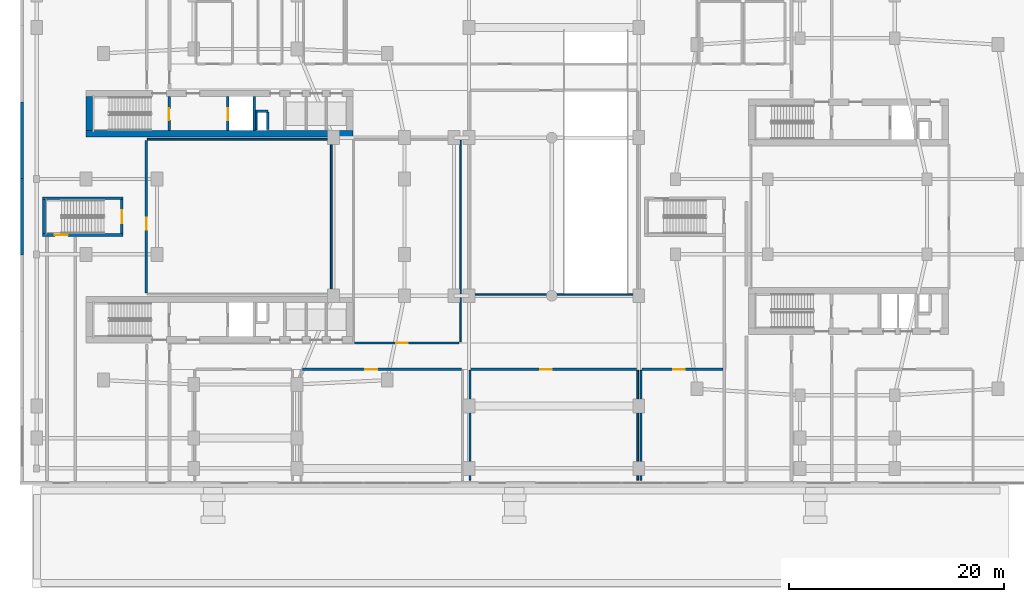
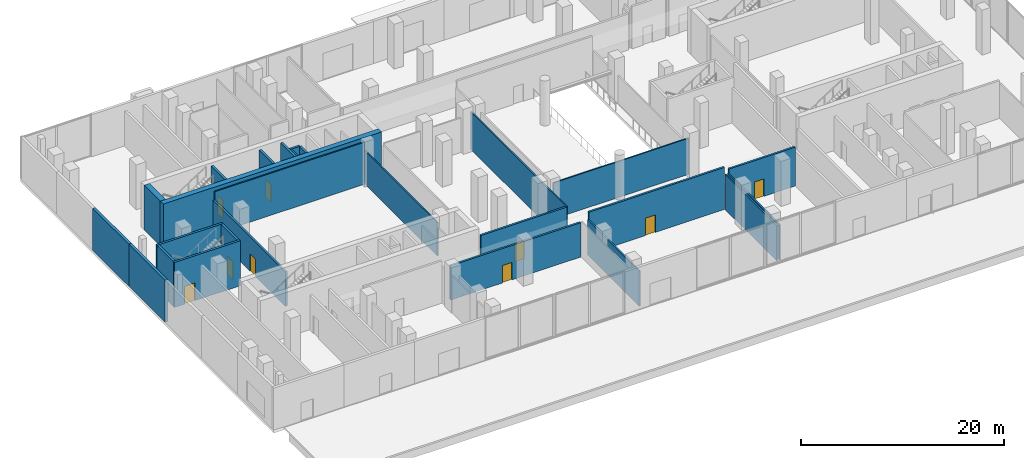
# One storey, part 13 of 24: 26 walls, 9 doors, 9 openings.
"""IFC4 building model written with IfcOpenShell, lengths in metres."""

from ifc_helpers import new_model, si_unit, derived_unit, direction, frame, frame_2d, origin, place, context, subcontext, project, spatial, rectangle, extrude, material, layer, layer_set, type_object, element, fill, save


model = new_model("IFC4")

# Units and contexts
model_context = context("Model", 3, precision=1e-05, world=origin(), true_north=direction((0.0, 1.0)))
body_context = subcontext(model_context, "Body", "Model", "MODEL_VIEW")
ifc_project = project(units=[si_unit("LENGTHUNIT", "METRE"), si_unit("AREAUNIT", "SQUARE_METRE"), si_unit("VOLUMEUNIT", "CUBIC_METRE"), si_unit("PLANEANGLEUNIT", "RADIAN"), si_unit("MASSUNIT", "GRAM", prefix="KILO"), derived_unit("THERMALTRANSMITTANCEUNIT", [(si_unit("POWERUNIT", "WATT"), 1), (si_unit("LENGTHUNIT", "METRE"), -2), (si_unit("THERMODYNAMICTEMPERATUREUNIT", "KELVIN"), -1)])], contexts=[model_context])

# Site, building, storey
site_placement = place(None, origin())
site = spatial("IfcSite", under=ifc_project, at=site_placement, CompositionType="ELEMENT")
building_placement = place(site_placement, origin())
building = spatial("IfcBuilding", under=site, at=building_placement, Name="Kivonza Crest Hotel", CompositionType="ELEMENT")
storey_placement = place(building_placement, origin())
storey = spatial("IfcBuildingStorey", under=building, at=storey_placement, Name="L00", CompositionType="ELEMENT", Elevation=0.0)

# Wall, opening, door
ifc_material_1 = material(Name="Autoclaved aerated concrete blockwork", Category="masonry")
ifc_layer_1 = layer(ifc_material_1, 0.219970703125)
ifc_layer_set_1 = layer_set([ifc_layer_1], Name="Autoclaved aerated concrete blockwork")
wall_type_1 = type_object("IfcWallType", Name="WL-ACOU-220", PredefinedType="SOLIDWALL", material=ifc_layer_set_1)
wall_1_placement = place(storey_placement, frame((11.800048828125, 17.89990234375, 0.0), z_axis=(0.0, 0.0, 1.0), x_axis=(0.0, 1.0, 0.0)))
wall_1 = element("IfcWall", 1, at=wall_1_placement, inside=storey, type_object=wall_type_1, Name="L00 interior partition WA-L00-HTL-LOB-W", PredefinedType="SOLIDWALL", context=body_context, shape_type="SweptSolid", body=[
    extrude(rectangle(XDim=14.2001953125, YDim=0.219970703125, at=frame_2d((7.10009765625, 0.0))), origin(), (0.0, 0.0, 1.0), 4.125),
])
opening_1_placement = place(wall_1_placement, frame((5.885009765625, 0.0, 0.0)))
opening_1 = element("IfcOpeningElement", 2, at=opening_1_placement, cuts=wall_1, Name="Opening DF-60M", PredefinedType="OPENING", context=body_context, shape_type="SweptSolid", body=[
    extrude(rectangle(XDim=1.10009765625, YDim=2.10009765625, at=frame_2d((0.550048828125, 1.050048828125))), frame((0.0, 0.1201171875, 0.0), z_axis=(0.0, -1.0, 0.0), x_axis=(1.0, 0.0, 0.0)), (0.0, 0.0, 1.0), 0.239990234375),
])
ifc_material_2 = material(Name="Hardwood timber oak", Category="wood")
door_type_1 = type_object("IfcDoorType", Name="DR-FD60-1100", OperationType="NOTDEFINED", PredefinedType="DOOR", material=ifc_material_2)
door_1_placement = place(opening_1_placement, frame((1.10009765625, 0.0, 0.0), z_axis=(0.0, 0.0, 1.0), x_axis=(-1.0, 0.0, 0.0)))
door_1 = element("IfcDoor", 3, at=door_1_placement, inside=storey, type_object=door_type_1, Name="L00 Hotel Arrival Lobby door", OperationType="SINGLE_SWING_LEFT", OverallHeight=2.10009765625, OverallWidth=1.10009765625, PredefinedType="DOOR", context=body_context, shape_type="SweptSolid", body=[
    extrude(rectangle(XDim=1.10009765625, YDim=2.10009765625, at=frame_2d((0.550048828125, 1.050048828125))), frame((0.0, 0.02490234375, 0.0), z_axis=(0.0, -1.0, 0.0), x_axis=(1.0, 0.0, 0.0)), (0.0, 0.0, 1.0), 0.050048828125),
])
fill(opening_1, door_1)

wall_2_placement = place(storey_placement, frame((31.14990234375, 13.25, 0.0), z_axis=(0.0, 0.0, 1.0), x_axis=(1.0, 0.0, 0.0)))
wall_2 = element("IfcWall", 4, at=wall_2_placement, inside=storey, type_object=wall_type_1, Name="L00 interior partition WA-L00-HTL-LNG-S", PredefinedType="SOLIDWALL", context=body_context, shape_type="SweptSolid", body=[
    extrude(rectangle(XDim=9.75, YDim=0.219970703125, at=frame_2d((4.875, 0.0))), origin(), (0.0, 0.0, 1.0), 4.574951171875),
])
opening_2_placement = place(wall_2_placement, frame((3.882080078125, 0.0, 0.0)))
opening_2 = element("IfcOpeningElement", 5, at=opening_2_placement, cuts=wall_2, Name="Opening DF-60M", PredefinedType="OPENING", context=body_context, shape_type="SweptSolid", body=[
    extrude(rectangle(XDim=1.10009765625, YDim=2.10009765625, at=frame_2d((0.550048828125, 1.050048828125))), frame((0.0, 0.1201171875, 0.0), z_axis=(0.0, -1.0, 0.0), x_axis=(1.0, 0.0, 0.0)), (0.0, 0.0, 1.0), 0.239990234375),
])
door_2_placement = place(opening_2_placement, origin())
door_2 = element("IfcDoor", 6, at=door_2_placement, inside=storey, type_object=door_type_1, Name="L00 Hotel Reception Lounge door", OperationType="SINGLE_SWING_RIGHT", OverallHeight=2.10009765625, OverallWidth=1.10009765625, PredefinedType="DOOR", context=body_context, shape_type="SweptSolid", body=[
    extrude(rectangle(XDim=1.10009765625, YDim=2.10009765625, at=frame_2d((0.550048828125, 1.050048828125))), frame((0.0, 0.02490234375, 0.0), z_axis=(0.0, -1.0, 0.0), x_axis=(1.0, 0.0, 0.0)), (0.0, 0.0, 1.0), 0.050048828125),
])
fill(opening_2, door_2)

wall_3_placement = place(storey_placement, frame((26.300048828125, 10.800048828125, 0.0), z_axis=(0.0, 0.0, 1.0), x_axis=(1.0, 0.0, 0.0)))
wall_3 = element("IfcWall", 7, at=wall_3_placement, inside=storey, type_object=wall_type_1, Name="L00 interior partition WA-L00-SHP-M-N", PredefinedType="SOLIDWALL", context=body_context, shape_type="SweptSolid", body=[
    extrude(rectangle(XDim=14.800048828125, YDim=0.219970703125, at=frame_2d((7.39990234375, 0.0))), origin(), (0.0, 0.0, 1.0), 4.125),
])
opening_3_placement = place(wall_3_placement, frame((5.875, 0.0, 0.0)))
opening_3 = element("IfcOpeningElement", 8, at=opening_3_placement, cuts=wall_3, Name="Opening DF-60M", PredefinedType="OPENING", context=body_context, shape_type="SweptSolid", body=[
    extrude(rectangle(XDim=1.10009765625, YDim=2.10009765625, at=frame_2d((0.550048828125, 1.050048828125))), frame((0.0, 0.1201171875, 0.0), z_axis=(0.0, -1.0, 0.0), x_axis=(1.0, 0.0, 0.0)), (0.0, 0.0, 1.0), 0.239990234375),
])
door_3_placement = place(opening_3_placement, frame((1.10009765625, 0.0, 0.0), z_axis=(0.0, 0.0, 1.0), x_axis=(-1.0, 0.0, 0.0)))
door_3 = element("IfcDoor", 9, at=door_3_placement, inside=storey, type_object=door_type_1, Name="L00 Specialty Gift and Travel Shop door", OperationType="SINGLE_SWING_RIGHT", OverallHeight=2.10009765625, OverallWidth=1.10009765625, PredefinedType="DOOR", context=body_context, shape_type="SweptSolid", body=[
    extrude(rectangle(XDim=1.10009765625, YDim=2.10009765625, at=frame_2d((0.550048828125, 1.050048828125))), frame((0.0, 0.02490234375, 0.0), z_axis=(0.0, -1.0, 0.0), x_axis=(1.0, 0.0, 0.0)), (0.0, 0.0, 1.0), 0.050048828125),
])
fill(opening_3, door_3)

wall_4_placement = place(storey_placement, frame((42.0, 10.800048828125, 0.0), z_axis=(0.0, 0.0, 1.0), x_axis=(1.0, 0.0, 0.0)))
wall_4 = element("IfcWall", 10, at=wall_4_placement, inside=storey, type_object=wall_type_1, Name="L00 interior partition WA-L00-CONC-S-N", PredefinedType="SOLIDWALL", context=body_context, shape_type="SweptSolid", body=[
    extrude(rectangle(XDim=15.39990234375, YDim=0.219970703125, at=frame_2d((7.699951171875, 0.0))), origin(), (0.0, 0.0, 1.0), 5.050048828125),
])
opening_4_placement = place(wall_4_placement, frame((6.425048828125, 0.0, 0.0)))
opening_4 = element("IfcOpeningElement", 11, at=opening_4_placement, cuts=wall_4, Name="Opening DF-60M", PredefinedType="OPENING", context=body_context, shape_type="SweptSolid", body=[
    extrude(rectangle(XDim=1.10009765625, YDim=2.10009765625, at=frame_2d((0.550048828125, 1.050048828125))), frame((0.0, 0.1201171875, 0.0), z_axis=(0.0, -1.0, 0.0), x_axis=(1.0, 0.0, 0.0)), (0.0, 0.0, 1.0), 0.239990234375),
])
door_4_placement = place(opening_4_placement, frame((1.10009765625, 0.0, 0.0), z_axis=(0.0, 0.0, 1.0), x_axis=(-1.0, 0.0, 0.0)))
door_4 = element("IfcDoor", 12, at=door_4_placement, inside=storey, type_object=door_type_1, Name="L00 South Retail Boutique door", OperationType="SINGLE_SWING_LEFT", OverallHeight=2.10009765625, OverallWidth=1.10009765625, PredefinedType="DOOR", context=body_context, shape_type="SweptSolid", body=[
    extrude(rectangle(XDim=1.10009765625, YDim=2.10009765625, at=frame_2d((0.550048828125, 1.050048828125))), frame((0.0, 0.02490234375, 0.0), z_axis=(0.0, -1.0, 0.0), x_axis=(1.0, 0.0, 0.0)), (0.0, 0.0, 1.0), 0.050048828125),
])
fill(opening_4, door_4)

wall_5_placement = place(storey_placement, frame((57.89990234375, 10.800048828125, 0.0), z_axis=(0.0, 0.0, 1.0), x_axis=(1.0, 0.0, 0.0)))
wall_5 = element("IfcWall", 13, at=wall_5_placement, inside=storey, type_object=wall_type_1, Name="L00 interior partition WA-L00-SHP-E-N", PredefinedType="SOLIDWALL", context=body_context, shape_type="SweptSolid", body=[
    extrude(rectangle(XDim=7.550048828125, YDim=0.219970703125, at=frame_2d((3.77490234375, 0.0))), origin(), (0.0, 0.0, 1.0), 4.6650390625),
])
opening_5_placement = place(wall_5_placement, frame((2.89306640625, 0.0, 0.0)))
opening_5 = element("IfcOpeningElement", 14, at=opening_5_placement, cuts=wall_5, Name="Opening DF-60M", PredefinedType="OPENING", context=body_context, shape_type="SweptSolid", body=[
    extrude(rectangle(XDim=1.10009765625, YDim=2.10009765625, at=frame_2d((0.550048828125, 1.050048828125))), frame((0.0, 0.1201171875, 0.0), z_axis=(0.0, -1.0, 0.0), x_axis=(1.0, 0.0, 0.0)), (0.0, 0.0, 1.0), 0.239990234375),
])
door_5_placement = place(opening_5_placement, frame((1.10009765625, 0.0, 0.0), z_axis=(0.0, 0.0, 1.0), x_axis=(-1.0, 0.0, 0.0)))
door_5 = element("IfcDoor", 15, at=door_5_placement, inside=storey, type_object=door_type_1, Name="L00 Companion Pharmacy and Cafe Shop door", OperationType="SINGLE_SWING_LEFT", OverallHeight=2.10009765625, OverallWidth=1.10009765625, PredefinedType="DOOR", context=body_context, shape_type="SweptSolid", body=[
    extrude(rectangle(XDim=1.10009765625, YDim=2.10009765625, at=frame_2d((0.550048828125, 1.050048828125))), frame((0.0, 0.02490234375, 0.0), z_axis=(0.0, -1.0, 0.0), x_axis=(1.0, 0.0, 0.0)), (0.0, 0.0, 1.0), 0.050048828125),
])
fill(opening_5, door_5)

# Walls
ifc_material_3 = material(Name="Concrete C60/75", Category="concrete")
ifc_layer_2 = layer(ifc_material_3, 0.60009765625)
ifc_layer_set_2 = layer_set([ifc_layer_2], Name="Concrete C60/75")
wall_type_2 = type_object("IfcWallType", Name="WL-CORE-600", PredefinedType="SHEAR", material=ifc_layer_set_2)
wall_6_placement = place(storey_placement, frame((6.199951171875, 32.699951171875, 0.0), z_axis=(0.0, 0.0, 1.0), x_axis=(1.0, 0.0, 0.0)))
element("IfcWall", 16, at=wall_6_placement, inside=storey, type_object=wall_type_2, Name="Core wall T1-N South L00", PredefinedType="SHEAR", context=body_context, shape_type="SweptSolid", body=[
    extrude(rectangle(XDim=24.800048828125, YDim=0.60009765625, at=frame_2d((12.39990234375, 0.0))), origin(), (0.0, 0.0, 1.0), 5.39990234375),
])
wall_7_placement = place(storey_placement, frame((6.5, 33.0, 0.0), z_axis=(0.0, 0.0, 1.0), x_axis=(0.0, 1.0, 0.0)))
element("IfcWall", 17, at=wall_7_placement, inside=storey, type_object=wall_type_2, Name="Core wall T1-N West L00", PredefinedType="SHEAR", context=body_context, shape_type="SweptSolid", body=[
    extrude(rectangle(XDim=3.159912109375, YDim=0.60009765625, at=frame_2d((1.580078125, 0.0))), origin(), (0.0, 0.0, 1.0), 5.39990234375),
])
ifc_material_4 = material(Name="Precast concrete C40/50", Category="concrete")
ifc_layer_3 = layer(ifc_material_4, 0.300048828125)
ifc_layer_set_3 = layer_set([ifc_layer_3], Name="Precast concrete C40/50")
wall_type_3 = type_object("IfcWallType", Name="WL-EXT-300", PredefinedType="STANDARD", material=ifc_layer_set_3)
wall_8_placement = place(storey_placement, frame((0.22998046875, 35.68798828125, 0.0), z_axis=(0.0, 0.0, 1.0), x_axis=(0.0, -1.0, 0.0)))
element("IfcWall", 18, at=wall_8_placement, inside=storey, type_object=wall_type_3, Name="L00 POD exterior insulated wall 34", PredefinedType="STANDARD", context=body_context, shape_type="SweptSolid", body=[
    extrude(rectangle(XDim=7.135986328125, YDim=0.300048828125, at=frame_2d((3.56787109375, 0.0))), origin(), (0.0, 0.0, 1.0), 5.050048828125),
])
wall_9_placement = place(storey_placement, frame((0.22998046875, 28.568115234375, 0.0), z_axis=(0.0, 0.0, 1.0), x_axis=(0.0, -1.0, 0.0)))
element("IfcWall", 19, at=wall_9_placement, inside=storey, type_object=wall_type_3, Name="L00 POD exterior insulated wall 35", PredefinedType="STANDARD", context=body_context, shape_type="SweptSolid", body=[
    extrude(rectangle(XDim=7.13623046875, YDim=0.300048828125, at=frame_2d((3.568115234375, 0.0))), origin(), (0.0, 0.0, 1.0), 5.050048828125),
])
ifc_material_5 = material(Name="Concrete blockwork fire-compartment wall", Category="masonry")
ifc_layer_4 = layer(ifc_material_5, 0.25)
ifc_layer_set_4 = layer_set([ifc_layer_4], Name="Concrete blockwork fire-compartment wall")
wall_type_4 = type_object("IfcWallType", Name="WL-FIRE-250", PredefinedType="SOLIDWALL", material=ifc_layer_set_4)
wall_10_placement = place(storey_placement, frame((23.10009765625, 33.10009765625, 0.0), z_axis=(0.0, 0.0, 1.0), x_axis=(0.0, 1.0, 0.0)))
element("IfcWall", 20, at=wall_10_placement, inside=storey, type_object=wall_type_4, Name="L00 interior partition WA-L00-T1-N-MEPR-E", PredefinedType="SOLIDWALL", context=body_context, shape_type="SweptSolid", body=[
    extrude(rectangle(XDim=1.619873046875, YDim=0.25, at=frame_2d((0.81005859375, 0.0))), origin(), (0.0, 0.0, 1.0), 5.050048828125),
])
wall_11_placement = place(storey_placement, frame((21.949951171875, 34.820068359375, 0.0), z_axis=(0.0, 0.0, 1.0), x_axis=(1.0, 0.0, 0.0)))
element("IfcWall", 21, at=wall_11_placement, inside=storey, type_object=wall_type_4, Name="L00 interior partition WA-L00-T1-N-MEPR-H", PredefinedType="SOLIDWALL", context=body_context, shape_type="SweptSolid", body=[
    extrude(rectangle(XDim=1.150146484375, YDim=0.25, at=frame_2d((0.5751953125, 0.0))), origin(), (0.0, 0.0, 1.0), 5.050048828125),
])
ifc_material_6 = material(Name="Twin-stud acoustic gypsum board partition", Category="gypsum")
ifc_layer_5 = layer(ifc_material_6, 0.14990234375)
ifc_layer_set_5 = layer_set([ifc_layer_5], Name="Twin-stud acoustic gypsum board partition")
wall_type_5 = type_object("IfcWallType", Name="WL-PART-150", PredefinedType="PARTITIONING", material=ifc_layer_set_5)
wall_12_placement = place(storey_placement, frame((22.030029296875, 33.10009765625, 0.0), z_axis=(0.0, 0.0, 1.0), x_axis=(0.0, 1.0, 0.0)))
element("IfcWall", 22, at=wall_12_placement, inside=storey, type_object=wall_type_5, Name="L00 interior partition WA-L00-T1-N-MEPR-W", PredefinedType="PARTITIONING", context=body_context, shape_type="SweptSolid", body=[
    extrude(rectangle(XDim=1.619873046875, YDim=0.14990234375, at=frame_2d((0.81005859375, 0.0))), origin(), (0.0, 0.0, 1.0), 5.050048828125),
])
wall_13_placement = place(storey_placement, frame((29.0, 17.89990234375, 0.0), z_axis=(0.0, 0.0, 1.0), x_axis=(0.0, 1.0, 0.0)))
element("IfcWall", 23, at=wall_13_placement, inside=storey, type_object=wall_type_5, Name="L00 interior partition WP-L00-HTL-LOB-BE", PredefinedType="PARTITIONING", context=body_context, shape_type="SweptSolid", body=[
    extrude(rectangle(XDim=14.2001953125, YDim=0.14990234375, at=frame_2d((7.10009765625, 0.0))), origin(), (0.0, 0.0, 1.0), 4.02490234375),
])
wall_14_placement = place(storey_placement, frame((11.89990234375, 32.199951171875, 0.0), z_axis=(0.0, 0.0, 1.0), x_axis=(1.0, 0.0, 0.0)))
element("IfcWall", 24, at=wall_14_placement, inside=storey, type_object=wall_type_5, Name="L00 interior partition WP-L00-HTL-LOB-BN", PredefinedType="PARTITIONING", context=body_context, shape_type="SweptSolid", body=[
    extrude(rectangle(XDim=17.0, YDim=0.14990234375, at=frame_2d((8.5, 0.0))), origin(), (0.0, 0.0, 1.0), 5.050048828125),
])
wall_15_placement = place(storey_placement, frame((41.0, 13.35009765625, 0.0), z_axis=(0.0, 0.0, 1.0), x_axis=(0.0, 1.0, 0.0)))
element("IfcWall", 25, at=wall_15_placement, inside=storey, type_object=wall_type_5, Name="L00 interior partition WP-L00-HTL-LNG-BE", PredefinedType="PARTITIONING", context=body_context, shape_type="SweptSolid", body=[
    extrude(rectangle(XDim=18.75, YDim=0.14990234375, at=frame_2d((9.375, 0.0))), origin(), (0.0, 0.0, 1.0), 4.52490234375),
])
for number, where, z_axis, x_axis, name in (
    (26, (41.89990234375, 0.5, 0.0), (0.0, 0.0, 1.0), (0.0, 1.0, 0.0), "L00 interior partition WP-L00-CONC-S-BW"),
    (27, (57.5, 0.5, 0.0), (0.0, 0.0, 1.0), (0.0, 1.0, 0.0), "L00 interior partition WP-L00-CONC-S-BE"),
):
    element("IfcWall", number, at=place(storey_placement, frame(where, z_axis=z_axis, x_axis=x_axis)), inside=storey, type_object=wall_type_5, Name=name, PredefinedType="PARTITIONING", context=body_context, shape_type="SweptSolid", body=[
        extrude(rectangle(XDim=10.199951171875, YDim=0.14990234375, at=frame_2d((5.10009765625, 0.0))), origin(), (0.0, 0.0, 1.0), 4.22509765625),
    ])
wall_16_placement = place(storey_placement, frame((42.0, 17.75, 0.0), z_axis=(0.0, 0.0, 1.0), x_axis=(1.0, 0.0, 0.0)))
element("IfcWall", 28, at=wall_16_placement, inside=storey, type_object=wall_type_5, Name="L00 interior partition WP-L00-CONC-M-BS", PredefinedType="PARTITIONING", context=body_context, shape_type="SweptSolid", body=[
    extrude(rectangle(XDim=15.39990234375, YDim=0.14990234375, at=frame_2d((7.699951171875, 0.0))), origin(), (0.0, 0.0, 1.0), 4.324951171875),
])
wall_17_placement = place(storey_placement, frame((57.800048828125, 0.47998046875, 0.0), z_axis=(0.0, 0.0, 1.0), x_axis=(0.0, 1.0, 0.0)))
element("IfcWall", 29, at=wall_17_placement, inside=storey, type_object=wall_type_5, Name="L00 interior partition WP-L00-SHP-E-BW", PredefinedType="PARTITIONING", context=body_context, shape_type="SweptSolid", body=[
    extrude(rectangle(XDim=10.219970703125, YDim=0.14990234375, at=frame_2d((5.10986328125, 0.0))), origin(), (0.0, 0.0, 1.0), 4.22509765625),
])

# Wall, opening, door
ifc_material_7 = material(Name="Concrete C50/60", Category="concrete")
ifc_layer_6 = layer(ifc_material_7, 0.25)
ifc_layer_set_6 = layer_set([ifc_layer_6], Name="Concrete C50/60")
wall_type_6 = type_object("IfcWallType", Name="WL-SHAFT-250", PredefinedType="STANDARD", material=ifc_layer_set_6)
wall_18_placement = place(storey_placement, frame((13.925048828125, 33.0, 0.0), z_axis=(0.0, 0.0, 1.0), x_axis=(0.0, 1.0, 0.0)))
wall_18 = element("IfcWall", 30, at=wall_18_placement, inside=storey, type_object=wall_type_6, Name="Core shaft wall T1-N STAIR L00", PredefinedType="STANDARD", context=body_context, shape_type="SweptSolid", body=[
    extrude(rectangle(XDim=3.159912109375, YDim=0.25, at=frame_2d((1.580078125, 0.0))), origin(), (0.0, 0.0, 1.0), 5.050048828125),
])
opening_6_placement = place(wall_18_placement, frame((0.97998046875, 0.0, 0.0)))
opening_6 = element("IfcOpeningElement", 31, at=opening_6_placement, cuts=wall_18, Name="Opening DF-120", PredefinedType="OPENING", context=body_context, shape_type="SweptSolid", body=[
    extrude(rectangle(XDim=1.10009765625, YDim=2.14990234375, at=frame_2d((0.550048828125, 1.074951171875))), frame((0.0, 0.135009765625, 0.0), z_axis=(0.0, -1.0, 0.0), x_axis=(1.0, 0.0, 0.0)), (0.0, 0.0, 1.0), 0.27001953125),
])
ifc_material_8 = material(Name="Galvanised steel", Category="steel")
door_type_2 = type_object("IfcDoorType", Name="DR-FD120-1100", OperationType="NOTDEFINED", PredefinedType="DOOR", material=ifc_material_8)
door_6_placement = place(opening_6_placement, frame((1.10009765625, 0.0, 0.0), z_axis=(0.0, 0.0, 1.0), x_axis=(-1.0, 0.0, 0.0)))
door_6 = element("IfcDoor", 32, at=door_6_placement, inside=storey, type_object=door_type_2, Name="L00 T1-N stair fire door", OperationType="SINGLE_SWING_LEFT", OverallHeight=2.14990234375, OverallWidth=1.10009765625, PredefinedType="DOOR", context=body_context, shape_type="SweptSolid", body=[
    extrude(rectangle(XDim=1.10009765625, YDim=2.14990234375, at=frame_2d((0.550048828125, 1.074951171875))), frame((0.0, 0.02490234375, 0.0), z_axis=(0.0, -1.0, 0.0), x_axis=(1.0, 0.0, 0.0)), (0.0, 0.0, 1.0), 0.050048828125),
])
fill(opening_6, door_6)

wall_19_placement = place(storey_placement, frame((19.375, 33.0, 0.0), z_axis=(0.0, 0.0, 1.0), x_axis=(0.0, 1.0, 0.0)))
wall_19 = element("IfcWall", 33, at=wall_19_placement, inside=storey, type_object=wall_type_6, Name="Core shaft wall T1-N FFL-W L00", PredefinedType="STANDARD", context=body_context, shape_type="SweptSolid", body=[
    extrude(rectangle(XDim=3.159912109375, YDim=0.25, at=frame_2d((1.580078125, 0.0))), origin(), (0.0, 0.0, 1.0), 5.050048828125),
])
opening_7_placement = place(wall_19_placement, frame((0.97998046875, 0.0, 0.0)))
opening_7 = element("IfcOpeningElement", 34, at=opening_7_placement, cuts=wall_19, Name="Opening LD-120", PredefinedType="OPENING", context=body_context, shape_type="SweptSolid", body=[
    extrude(rectangle(XDim=1.10009765625, YDim=2.14990234375, at=frame_2d((0.550048828125, 1.074951171875))), frame((0.0, 0.135009765625, 0.0), z_axis=(0.0, -1.0, 0.0), x_axis=(1.0, 0.0, 0.0)), (0.0, 0.0, 1.0), 0.27001953125),
])
ifc_material_9 = material(Name="Stainless steel", Category="steel")
door_type_3 = type_object("IfcDoorType", Name="DR-LD120-1100", OperationType="NOTDEFINED", PredefinedType="DOOR", material=ifc_material_9)
door_7_placement = place(opening_7_placement, origin())
door_7 = element("IfcDoor", 35, at=door_7_placement, inside=storey, type_object=door_type_3, Name="L00 FFL-T1-N firefighting lift sliding landing door", OperationType="DOUBLE_DOOR_SLIDING", OverallHeight=2.14990234375, OverallWidth=1.10009765625, PredefinedType="DOOR", context=body_context, shape_type="SweptSolid", body=[
    extrude(rectangle(XDim=1.10009765625, YDim=2.14990234375, at=frame_2d((0.550048828125, 1.074951171875))), frame((0.0, 0.02490234375, 0.0), z_axis=(0.0, -1.0, 0.0), x_axis=(1.0, 0.0, 0.0)), (0.0, 0.0, 1.0), 0.050048828125),
])
fill(opening_7, door_7)

# Wall
wall_20_placement = place(storey_placement, frame((21.824951171875, 33.0, 0.0), z_axis=(0.0, 0.0, 1.0), x_axis=(0.0, 1.0, 0.0)))
element("IfcWall", 36, at=wall_20_placement, inside=storey, type_object=wall_type_6, Name="Core shaft wall T1-N FFL-E L00", PredefinedType="STANDARD", context=body_context, shape_type="SweptSolid", body=[
    extrude(rectangle(XDim=3.159912109375, YDim=0.25, at=frame_2d((1.580078125, 0.0))), origin(), (0.0, 0.0, 1.0), 5.050048828125),
])

# Wall, opening, door
wall_21_placement = place(storey_placement, frame((2.14990234375, 23.294921875, 0.0), z_axis=(0.0, 0.0, 1.0), x_axis=(1.0, 0.0, 0.0)))
wall_21 = element("IfcWall", 37, at=wall_21_placement, inside=storey, type_object=wall_type_6, Name="Podium stair enclosure wall ST-POD-W S L00", PredefinedType="STANDARD", context=body_context, shape_type="SweptSolid", body=[
    extrude(rectangle(XDim=7.5, YDim=0.25, at=frame_2d((3.75, 0.0))), origin(), (0.0, 0.0, 1.0), 5.39990234375),
])
opening_8_placement = place(wall_21_placement, frame((1.14990234375, 0.0, 0.0)))
opening_8 = element("IfcOpeningElement", 38, at=opening_8_placement, cuts=wall_21, Name="Opening DF-120W", PredefinedType="OPENING", context=body_context, shape_type="SweptSolid", body=[
    extrude(rectangle(XDim=1.199951171875, YDim=2.14990234375, at=frame_2d((0.60009765625, 1.074951171875))), frame((0.0, 0.135009765625, 0.0), z_axis=(0.0, -1.0, 0.0), x_axis=(1.0, 0.0, 0.0)), (0.0, 0.0, 1.0), 0.27001953125),
])
door_type_4 = type_object("IfcDoorType", Name="DR-FD120-1200", OperationType="NOTDEFINED", PredefinedType="DOOR", material=ifc_material_8)
door_8_placement = place(opening_8_placement, frame((1.199951171875, 0.0, 0.0), z_axis=(0.0, 0.0, 1.0), x_axis=(-1.0, 0.0, 0.0)))
door_8 = element("IfcDoor", 39, at=door_8_placement, inside=storey, type_object=door_type_4, Name="L00 ST-POD-W stair discharge fire door", OperationType="SINGLE_SWING_RIGHT", OverallHeight=2.14990234375, OverallWidth=1.199951171875, PredefinedType="DOOR", context=body_context, shape_type="SweptSolid", body=[
    extrude(rectangle(XDim=1.199951171875, YDim=2.14990234375, at=frame_2d((0.60009765625, 1.074951171875))), frame((0.0, 0.02490234375, 0.0), z_axis=(0.0, -1.0, 0.0), x_axis=(1.0, 0.0, 0.0)), (0.0, 0.0, 1.0), 0.050048828125),
])
fill(opening_8, door_8)

# Walls
wall_22_placement = place(storey_placement, frame((2.14990234375, 26.705078125, 0.0), z_axis=(0.0, 0.0, 1.0), x_axis=(1.0, 0.0, 0.0)))
element("IfcWall", 40, at=wall_22_placement, inside=storey, type_object=wall_type_6, Name="Podium stair enclosure wall ST-POD-W N L00", PredefinedType="STANDARD", context=body_context, shape_type="SweptSolid", body=[
    extrude(rectangle(XDim=7.5, YDim=0.25, at=frame_2d((3.75, 0.0))), origin(), (0.0, 0.0, 1.0), 5.39990234375),
])
wall_23_placement = place(storey_placement, frame((2.27490234375, 23.419921875, 0.0), z_axis=(0.0, 0.0, 1.0), x_axis=(0.0, 1.0, 0.0)))
element("IfcWall", 41, at=wall_23_placement, inside=storey, type_object=wall_type_6, Name="Podium stair enclosure wall ST-POD-W W L00", PredefinedType="STANDARD", context=body_context, shape_type="SweptSolid", body=[
    extrude(rectangle(XDim=3.16015625, YDim=0.25, at=frame_2d((1.580078125, 0.0))), origin(), (0.0, 0.0, 1.0), 5.39990234375),
])

# Wall, opening, door
wall_24_placement = place(storey_placement, frame((9.52490234375, 23.419921875, 0.0), z_axis=(0.0, 0.0, 1.0), x_axis=(0.0, 1.0, 0.0)))
wall_24 = element("IfcWall", 42, at=wall_24_placement, inside=storey, type_object=wall_type_6, Name="Podium stair enclosure wall ST-POD-W E L00", PredefinedType="STANDARD", context=body_context, shape_type="SweptSolid", body=[
    extrude(rectangle(XDim=3.16015625, YDim=0.25, at=frame_2d((1.580078125, 0.0))), origin(), (0.0, 0.0, 1.0), 5.39990234375),
])
opening_9_placement = place(wall_24_placement, frame((0.97998046875, 0.0, 0.0)))
opening_9 = element("IfcOpeningElement", 43, at=opening_9_placement, cuts=wall_24, Name="Opening DF-120W", PredefinedType="OPENING", context=body_context, shape_type="SweptSolid", body=[
    extrude(rectangle(XDim=1.199951171875, YDim=2.14990234375, at=frame_2d((0.60009765625, 1.074951171875))), frame((0.0, 0.135009765625, 0.0), z_axis=(0.0, -1.0, 0.0), x_axis=(1.0, 0.0, 0.0)), (0.0, 0.0, 1.0), 0.27001953125),
])
door_9_placement = place(opening_9_placement, frame((1.199951171875, 0.0, 0.0), z_axis=(0.0, 0.0, 1.0), x_axis=(-1.0, 0.0, 0.0)))
door_9 = element("IfcDoor", 44, at=door_9_placement, inside=storey, type_object=door_type_4, Name="L00 ST-POD-W podium stair fire door", OperationType="SINGLE_SWING_LEFT", OverallHeight=2.14990234375, OverallWidth=1.199951171875, PredefinedType="DOOR", context=body_context, shape_type="SweptSolid", body=[
    extrude(rectangle(XDim=1.199951171875, YDim=2.14990234375, at=frame_2d((0.60009765625, 1.074951171875))), frame((0.0, 0.02490234375, 0.0), z_axis=(0.0, -1.0, 0.0), x_axis=(1.0, 0.0, 0.0)), (0.0, 0.0, 1.0), 0.050048828125),
])
fill(opening_9, door_9)

save(model, "model.ifc")
